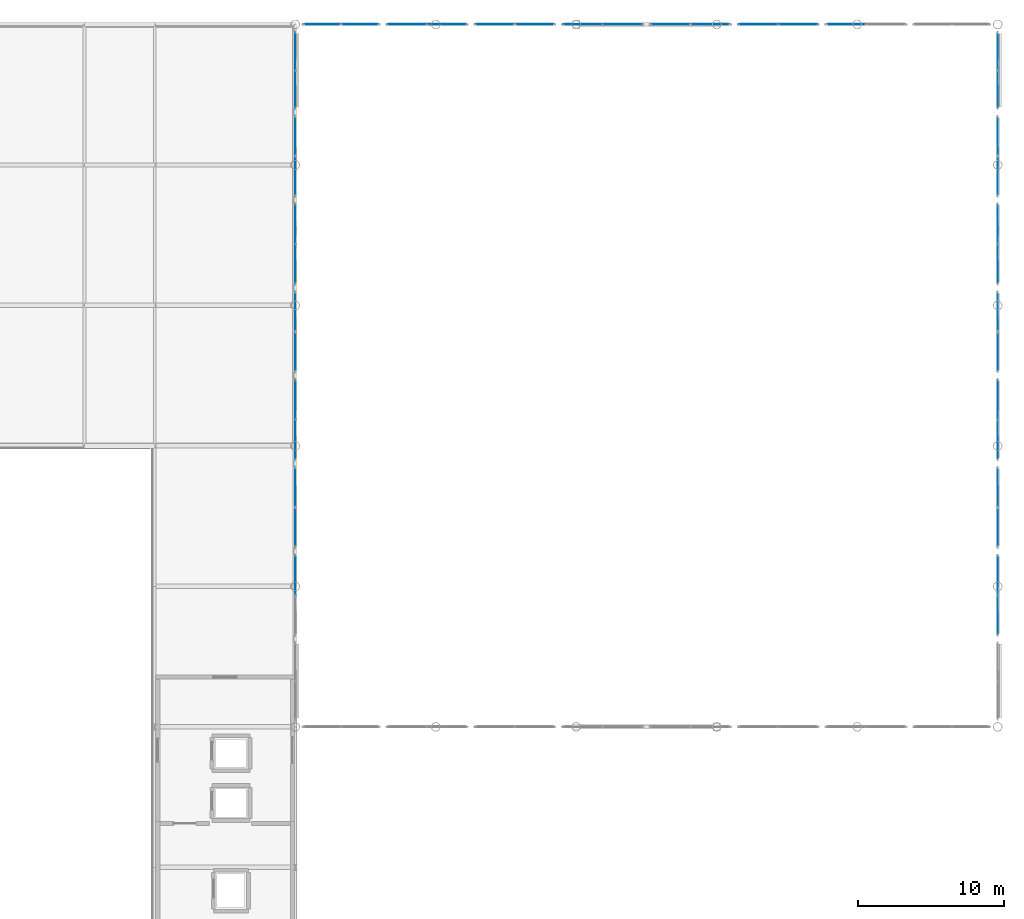
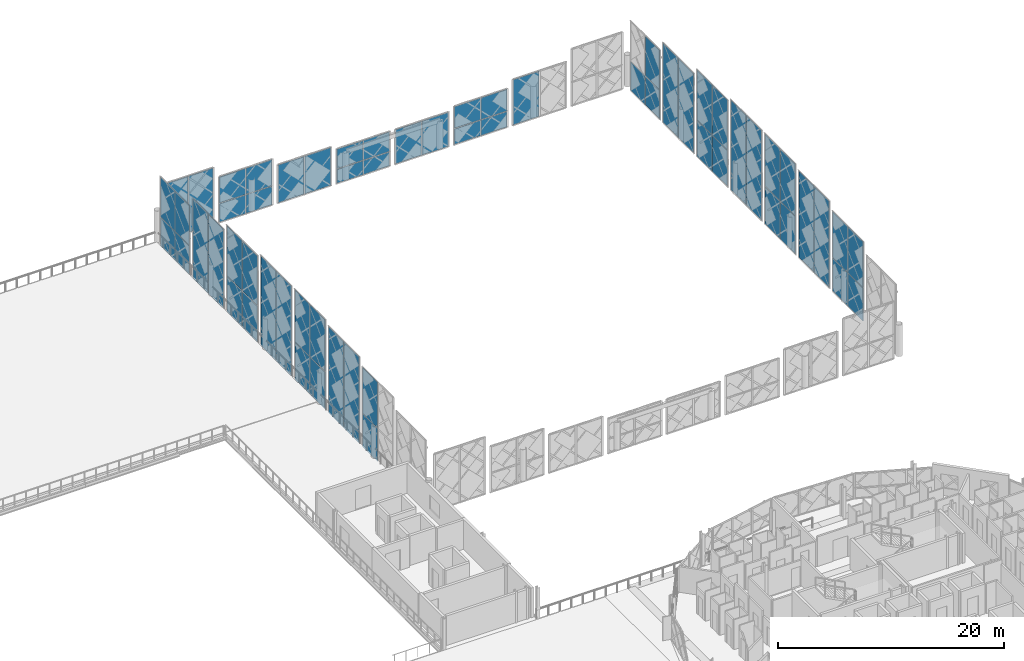
# One storey, part 26 of 53: 60 plates, 21 elements without a shape of their own.
"""IFC4 building model written with IfcOpenShell, lengths in metres."""

from ifc_helpers import new_model, si_unit, direction, frame, origin, origin_2d, place, context, subcontext, project, spatial, rectangle, extrude, material, layer, layer_set, type_object, element, aggregate, save


model = new_model("IFC4")

# Units and contexts
model_context = context("Model", 3, precision=1e-05, world=origin(), true_north=direction((0.0, 1.0)))
body_context = subcontext(model_context, "Body", "Model", "MODEL_VIEW")
ifc_project = project(units=[si_unit("LENGTHUNIT", "METRE"), si_unit("AREAUNIT", "SQUARE_METRE"), si_unit("VOLUMEUNIT", "CUBIC_METRE"), si_unit("PLANEANGLEUNIT", "RADIAN"), si_unit("MASSUNIT", "GRAM", prefix="KILO")], contexts=[model_context])

# Site, building, storey
site_placement = place(None, origin())
site = spatial("IfcSite", under=ifc_project, at=site_placement, CompositionType="ELEMENT")
building_placement = place(site_placement, origin())
building = spatial("IfcBuilding", under=site, at=building_placement, Name="Zevrakil Square Congress Hotel", CompositionType="ELEMENT")
storey_placement = place(building_placement, frame((0.0, 0.0, 14.699951171875)))
storey = spatial("IfcBuildingStorey", under=building, at=storey_placement, Name="L04", CompositionType="ELEMENT", Elevation=14.699951171875)

# Curtain wall, plate
ifc_material_1 = material(Name="Aluminium Anodised Bronze", Category="aluminium")
ifc_layer_1 = layer(ifc_material_1, 0.179931640625)
ifc_layer_set_1 = layer_set([ifc_layer_1], Name="Aluminium Anodised Bronze")
curtain_wall_type = type_object("IfcCurtainWallType", Name="CW-L01-560", PredefinedType="USERDEFINED", material=ifc_layer_set_1)
curtain_wall_1_placement = place(storey_placement, origin())
curtain_wall_1 = element("IfcCurtainWall", 1, at=curtain_wall_1_placement, inside=storey, type_object=curtain_wall_type, Name="L04 diamond curtain wall CW-L04-0068", ObjectType="GLAZED CURTAIN WALL", PredefinedType="USERDEFINED")
ifc_material_2 = material(Name="Low-E Solar Control Double Glazing", Category="glass")
ifc_layer_2 = layer(ifc_material_2, 0.028076171875)
ifc_layer_set_2 = layer_set([ifc_layer_2], Name="Low-E Solar Control Double Glazing")
plate_type_1 = type_object("IfcPlateType", Name="CWP-GLAZ-28", PredefinedType="CURTAIN_PANEL", material=ifc_layer_set_2)
plate_1_placement = place(storey_placement, frame((117.60009765625, 75.159912109375, 3.416015625), z_axis=(0.0, 0.0, 1.0), x_axis=(0.0, 1.0, 0.0)))
plate_1 = element("IfcPlate", 2, at=plate_1_placement, type_object=plate_type_1, Name="CW-08 panel 2.2", PredefinedType="CURTAIN_PANEL", context=body_context, shape_type="SweptSolid", body=[
    extrude(rectangle(XDim=2.659912109375, YDim=0.028076171875, at=origin_2d()), origin(), (0.0, 0.0, 1.0), 4.945068359375),
])

curtain_wall_2_placement = place(storey_placement, origin())
curtain_wall_2 = element("IfcCurtainWall", 3, at=curtain_wall_2_placement, inside=storey, type_object=curtain_wall_type, Name="L04 diamond curtain wall CW-L04-0069", ObjectType="GLAZED CURTAIN WALL", PredefinedType="USERDEFINED")
plate_2_placement = place(storey_placement, frame((117.60009765625, 78.43994140625, -0.199951171875), z_axis=(0.0, 0.0, 1.0), x_axis=(0.0, 1.0, 0.0)))
plate_2 = element("IfcPlate", 4, at=plate_2_placement, type_object=plate_type_1, Name="CW-08 panel 1.1", PredefinedType="CURTAIN_PANEL", context=body_context, shape_type="SweptSolid", body=[
    extrude(rectangle(XDim=2.659912109375, YDim=0.028076171875, at=origin_2d()), origin(), (0.0, 0.0, 1.0), 9.31103515625),
])

curtain_wall_3_placement = place(storey_placement, origin())
curtain_wall_3 = element("IfcCurtainWall", 5, at=curtain_wall_3_placement, inside=storey, type_object=curtain_wall_type, Name="L04 diamond curtain wall CW-L04-0070", ObjectType="GLAZED CURTAIN WALL", PredefinedType="USERDEFINED")
plate_3_placement = place(storey_placement, frame((117.60009765625, 84.43994140625, 3.888671875), z_axis=(0.0, 0.0, 1.0), x_axis=(0.0, 1.0, 0.0)))
plate_3 = element("IfcPlate", 6, at=plate_3_placement, type_object=plate_type_1, Name="CW-08 panel 1.2", PredefinedType="CURTAIN_PANEL", context=body_context, shape_type="SweptSolid", body=[
    extrude(rectangle(XDim=2.659912109375, YDim=0.028076171875, at=origin_2d()), origin(), (0.0, 0.0, 1.0), 5.597412109375),
])

curtain_wall_4_placement = place(storey_placement, origin())
curtain_wall_4 = element("IfcCurtainWall", 7, at=curtain_wall_4_placement, inside=storey, type_object=curtain_wall_type, Name="L04 diamond curtain wall CW-L04-0071", ObjectType="GLAZED CURTAIN WALL", PredefinedType="USERDEFINED")
plate_4_placement = place(storey_placement, frame((117.60009765625, 90.43994140625, -0.199951171875), z_axis=(0.0, 0.0, 1.0), x_axis=(0.0, 1.0, 0.0)))
plate_4 = element("IfcPlate", 8, at=plate_4_placement, type_object=plate_type_1, Name="CW-08 panel 1.1", PredefinedType="CURTAIN_PANEL", context=body_context, shape_type="SweptSolid", body=[
    extrude(rectangle(XDim=2.659912109375, YDim=0.028076171875, at=origin_2d()), origin(), (0.0, 0.0, 1.0), 9.68603515625),
])

curtain_wall_5_placement = place(storey_placement, origin())
curtain_wall_5 = element("IfcCurtainWall", 9, at=curtain_wall_5_placement, inside=storey, type_object=curtain_wall_type, Name="L04 diamond curtain wall CW-L04-0072", ObjectType="GLAZED CURTAIN WALL", PredefinedType="USERDEFINED")
plate_5_placement = place(storey_placement, frame((117.60009765625, 99.159912109375, -0.199951171875), z_axis=(0.0, 0.0, 1.0), x_axis=(0.0, 1.0, 0.0)))
plate_5 = element("IfcPlate", 10, at=plate_5_placement, type_object=plate_type_1, Name="CW-08 panel 2.1", PredefinedType="CURTAIN_PANEL", context=body_context, shape_type="SweptSolid", body=[
    extrude(rectangle(XDim=2.659912109375, YDim=0.028076171875, at=origin_2d()), origin(), (0.0, 0.0, 1.0), 3.87109375),
])

curtain_wall_6_placement = place(storey_placement, origin())
curtain_wall_6 = element("IfcCurtainWall", 11, at=curtain_wall_6_placement, inside=storey, type_object=curtain_wall_type, Name="L04 diamond curtain wall CW-L04-0073", ObjectType="GLAZED CURTAIN WALL", PredefinedType="USERDEFINED")
plate_6_placement = place(storey_placement, frame((117.60009765625, 105.159912109375, -0.199951171875), z_axis=(0.0, 0.0, 1.0), x_axis=(0.0, 1.0, 0.0)))
plate_6 = element("IfcPlate", 12, at=plate_6_placement, type_object=plate_type_1, Name="CW-08 panel 2.1", PredefinedType="CURTAIN_PANEL", context=body_context, shape_type="SweptSolid", body=[
    extrude(rectangle(XDim=2.659912109375, YDim=0.028076171875, at=origin_2d()), origin(), (0.0, 0.0, 1.0), 8.56103515625),
])

# Curtain wall, plates
curtain_wall_7_placement = place(storey_placement, origin())
curtain_wall_7 = element("IfcCurtainWall", 13, at=curtain_wall_7_placement, inside=storey, type_object=curtain_wall_type, Name="L04 diamond curtain wall CW-L04-0074", ObjectType="GLAZED CURTAIN WALL", PredefinedType="USERDEFINED")
plate_7_placement = place(storey_placement, frame((117.60009765625, 108.37255859375, -0.199951171875), z_axis=(0.0, 0.0, 1.0), x_axis=(0.0, 1.0, 0.0)))
plate_7 = element("IfcPlate", 14, at=plate_7_placement, type_object=plate_type_1, Name="CW-08 panel 1.1", PredefinedType="CURTAIN_PANEL", context=body_context, shape_type="SweptSolid", body=[
    extrude(rectangle(XDim=2.52490234375, YDim=0.028076171875, at=origin_2d()), origin(), (0.0, 0.0, 1.0), 3.08349609375),
])
plate_8_placement = place(storey_placement, frame((117.60009765625, 110.95751953125, -0.199951171875), z_axis=(0.0, 0.0, 1.0), x_axis=(0.0, 1.0, 0.0)))
plate_8 = element("IfcPlate", 15, at=plate_8_placement, type_object=plate_type_1, Name="CW-08 panel 2.1", PredefinedType="CURTAIN_PANEL", context=body_context, shape_type="SweptSolid", body=[
    extrude(rectangle(XDim=2.52490234375, YDim=0.028076171875, at=origin_2d()), origin(), (0.0, 0.0, 1.0), 3.08349609375),
])

curtain_wall_8_placement = place(storey_placement, origin())
curtain_wall_8 = element("IfcCurtainWall", 16, at=curtain_wall_8_placement, inside=storey, type_object=curtain_wall_type, Name="L04 diamond curtain wall CW-L04-0076", ObjectType="GLAZED CURTAIN WALL", PredefinedType="USERDEFINED")
plate_9_placement = place(storey_placement, frame((165.60009765625, 72.43994140625, -0.19970703125), z_axis=(0.0, 0.0, 1.0), x_axis=(0.0, 1.0, 0.0)))
plate_9 = element("IfcPlate", 17, at=plate_9_placement, type_object=plate_type_1, Name="CW-08 panel 1.1", PredefinedType="CURTAIN_PANEL", context=body_context, shape_type="SweptSolid", body=[
    extrude(rectangle(XDim=2.659912109375, YDim=0.028076171875, at=origin_2d()), origin(), (0.0, 0.0, 1.0), 3.555908203125),
])
plate_10_placement = place(storey_placement, frame((165.60009765625, 75.159912109375, 3.416015625), z_axis=(0.0, 0.0, 1.0), x_axis=(0.0, 1.0, 0.0)))
plate_10 = element("IfcPlate", 18, at=plate_10_placement, type_object=plate_type_1, Name="CW-08 panel 2.2", PredefinedType="CURTAIN_PANEL", context=body_context, shape_type="SweptSolid", body=[
    extrude(rectangle(XDim=2.659912109375, YDim=0.028076171875, at=origin_2d()), origin(), (0.0, 0.0, 1.0), 4.945068359375),
])

curtain_wall_9_placement = place(storey_placement, origin())
curtain_wall_9 = element("IfcCurtainWall", 19, at=curtain_wall_9_placement, inside=storey, type_object=curtain_wall_type, Name="L04 diamond curtain wall CW-L04-0078", ObjectType="GLAZED CURTAIN WALL", PredefinedType="USERDEFINED")
plate_11_placement = place(storey_placement, frame((165.60009765625, 84.43994140625, 3.888671875), z_axis=(0.0, 0.0, 1.0), x_axis=(0.0, 1.0, 0.0)))
plate_11 = element("IfcPlate", 20, at=plate_11_placement, type_object=plate_type_1, Name="CW-08 panel 1.2", PredefinedType="CURTAIN_PANEL", context=body_context, shape_type="SweptSolid", body=[
    extrude(rectangle(XDim=2.659912109375, YDim=0.028076171875, at=origin_2d()), origin(), (0.0, 0.0, 1.0), 5.597412109375),
])
plate_12_placement = place(storey_placement, frame((165.60009765625, 87.159912109375, 3.888671875), z_axis=(0.0, 0.0, 1.0), x_axis=(0.0, 1.0, 0.0)))
plate_12 = element("IfcPlate", 21, at=plate_12_placement, type_object=plate_type_1, Name="CW-08 panel 2.2", PredefinedType="CURTAIN_PANEL", context=body_context, shape_type="SweptSolid", body=[
    extrude(rectangle(XDim=2.659912109375, YDim=0.028076171875, at=origin_2d()), origin(), (0.0, 0.0, 1.0), 5.597412109375),
])

# Curtain wall, plate
curtain_wall_10_placement = place(storey_placement, origin())
curtain_wall_10 = element("IfcCurtainWall", 22, at=curtain_wall_10_placement, inside=storey, type_object=curtain_wall_type, Name="L04 diamond curtain wall CW-L04-0079", ObjectType="GLAZED CURTAIN WALL", PredefinedType="USERDEFINED")
plate_13_placement = place(storey_placement, frame((165.60009765625, 90.43994140625, -0.199951171875), z_axis=(0.0, 0.0, 1.0), x_axis=(0.0, 1.0, 0.0)))
plate_13 = element("IfcPlate", 23, at=plate_13_placement, type_object=plate_type_1, Name="CW-08 panel 1.1", PredefinedType="CURTAIN_PANEL", context=body_context, shape_type="SweptSolid", body=[
    extrude(rectangle(XDim=2.659912109375, YDim=0.028076171875, at=origin_2d()), origin(), (0.0, 0.0, 1.0), 9.68603515625),
])

curtain_wall_11_placement = place(storey_placement, origin())
curtain_wall_11 = element("IfcCurtainWall", 24, at=curtain_wall_11_placement, inside=storey, type_object=curtain_wall_type, Name="L04 diamond curtain wall CW-L04-0080", ObjectType="GLAZED CURTAIN WALL", PredefinedType="USERDEFINED")
plate_14_placement = place(storey_placement, frame((165.60009765625, 96.43994140625, 3.731201171875), z_axis=(0.0, 0.0, 1.0), x_axis=(0.0, 1.0, 0.0)))
plate_14 = element("IfcPlate", 25, at=plate_14_placement, type_object=plate_type_1, Name="CW-08 panel 1.2", PredefinedType="CURTAIN_PANEL", context=body_context, shape_type="SweptSolid", body=[
    extrude(rectangle(XDim=2.659912109375, YDim=0.028076171875, at=origin_2d()), origin(), (0.0, 0.0, 1.0), 5.3798828125),
])

curtain_wall_12_placement = place(storey_placement, origin())
curtain_wall_12 = element("IfcCurtainWall", 26, at=curtain_wall_12_placement, inside=storey, type_object=curtain_wall_type, Name="L04 diamond curtain wall CW-L04-0081", ObjectType="GLAZED CURTAIN WALL", PredefinedType="USERDEFINED")
plate_15_placement = place(storey_placement, frame((165.60009765625, 102.43994140625, -0.199951171875), z_axis=(0.0, 0.0, 1.0), x_axis=(0.0, 1.0, 0.0)))
plate_15 = element("IfcPlate", 27, at=plate_15_placement, type_object=plate_type_1, Name="CW-08 panel 1.1", PredefinedType="CURTAIN_PANEL", context=body_context, shape_type="SweptSolid", body=[
    extrude(rectangle(XDim=2.659912109375, YDim=0.028076171875, at=origin_2d()), origin(), (0.0, 0.0, 1.0), 8.56103515625),
])

curtain_wall_13_placement = place(storey_placement, origin())
curtain_wall_13 = element("IfcCurtainWall", 28, at=curtain_wall_13_placement, inside=storey, type_object=curtain_wall_type, Name="L04 diamond curtain wall CW-L04-0082", ObjectType="GLAZED CURTAIN WALL", PredefinedType="USERDEFINED")
plate_16_placement = place(storey_placement, frame((165.60009765625, 110.95751953125, -0.199951171875), z_axis=(0.0, 0.0, 1.0), x_axis=(0.0, 1.0, 0.0)))
plate_16 = element("IfcPlate", 29, at=plate_16_placement, type_object=plate_type_1, Name="CW-08 panel 2.1", PredefinedType="CURTAIN_PANEL", context=body_context, shape_type="SweptSolid", body=[
    extrude(rectangle(XDim=2.52490234375, YDim=0.028076171875, at=origin_2d()), origin(), (0.0, 0.0, 1.0), 3.08349609375),
])

curtain_wall_14_placement = place(storey_placement, origin())
curtain_wall_14 = element("IfcCurtainWall", 30, at=curtain_wall_14_placement, inside=storey, type_object=curtain_wall_type, Name="L04 diamond curtain wall CW-L04-0091", ObjectType="GLAZED CURTAIN WALL", PredefinedType="USERDEFINED")
plate_17_placement = place(storey_placement, frame((119.4423828125, 112.800048828125, -0.199951171875), z_axis=(0.0, 0.0, 1.0), x_axis=(1.0, 0.0, 0.0)))
plate_17 = element("IfcPlate", 31, at=plate_17_placement, type_object=plate_type_1, Name="CW-08 panel 1.1", PredefinedType="CURTAIN_PANEL", context=body_context, shape_type="SweptSolid", body=[
    extrude(rectangle(XDim=2.52490234375, YDim=0.028076171875, at=origin_2d()), origin(), (0.0, 0.0, 1.0), 6.080078125),
])

curtain_wall_15_placement = place(storey_placement, origin())
curtain_wall_15 = element("IfcCurtainWall", 32, at=curtain_wall_15_placement, inside=storey, type_object=curtain_wall_type, Name="L04 diamond curtain wall CW-L04-0092", ObjectType="GLAZED CURTAIN WALL", PredefinedType="USERDEFINED")
plate_18_placement = place(storey_placement, frame((127.9599609375, 112.800048828125, -0.2001953125), z_axis=(0.0, 0.0, 1.0), x_axis=(1.0, 0.0, 0.0)))
plate_18 = element("IfcPlate", 33, at=plate_18_placement, type_object=plate_type_1, Name="CW-08 panel 2.1", PredefinedType="CURTAIN_PANEL", context=body_context, shape_type="SweptSolid", body=[
    extrude(rectangle(XDim=2.659912109375, YDim=0.028076171875, at=origin_2d()), origin(), (0.0, 0.0, 1.0), 2.010009765625),
])

curtain_wall_16_placement = place(storey_placement, origin())
curtain_wall_16 = element("IfcCurtainWall", 34, at=curtain_wall_16_placement, inside=storey, type_object=curtain_wall_type, Name="L04 diamond curtain wall CW-L04-0093", ObjectType="GLAZED CURTAIN WALL", PredefinedType="USERDEFINED")
plate_19_placement = place(storey_placement, frame((133.9599609375, 112.800048828125, -0.199951171875), z_axis=(0.0, 0.0, 1.0), x_axis=(1.0, 0.0, 0.0)))
plate_19 = element("IfcPlate", 35, at=plate_19_placement, type_object=plate_type_1, Name="CW-08 panel 2.1", PredefinedType="CURTAIN_PANEL", context=body_context, shape_type="SweptSolid", body=[
    extrude(rectangle(XDim=2.659912109375, YDim=0.028076171875, at=origin_2d()), origin(), (0.0, 0.0, 1.0), 4.080078125),
])

# Curtain wall, plates
curtain_wall_17_placement = place(storey_placement, origin())
curtain_wall_17 = element("IfcCurtainWall", 36, at=curtain_wall_17_placement, inside=storey, type_object=curtain_wall_type, Name="L04 diamond curtain wall CW-L04-0094", ObjectType="GLAZED CURTAIN WALL", PredefinedType="USERDEFINED")
plate_20_placement = place(storey_placement, frame((137.239990234375, 112.800048828125, -0.2001953125), z_axis=(0.0, 0.0, 1.0), x_axis=(1.0, 0.0, 0.0)))
plate_20 = element("IfcPlate", 37, at=plate_20_placement, type_object=plate_type_1, Name="CW-08 panel 1.1", PredefinedType="CURTAIN_PANEL", context=body_context, shape_type="SweptSolid", body=[
    extrude(rectangle(XDim=2.659912109375, YDim=0.028076171875, at=origin_2d()), origin(), (0.0, 0.0, 1.0), 1.506103515625),
])
plate_21_placement = place(storey_placement, frame((139.9599609375, 112.800048828125, -0.2001953125), z_axis=(0.0, 0.0, 1.0), x_axis=(1.0, 0.0, 0.0)))
plate_21 = element("IfcPlate", 38, at=plate_21_placement, type_object=plate_type_1, Name="CW-08 panel 2.1", PredefinedType="CURTAIN_PANEL", context=body_context, shape_type="SweptSolid", body=[
    extrude(rectangle(XDim=2.659912109375, YDim=0.028076171875, at=origin_2d()), origin(), (0.0, 0.0, 1.0), 1.506103515625),
])

# Curtain wall, plate
curtain_wall_18_placement = place(storey_placement, origin())
curtain_wall_18 = element("IfcCurtainWall", 39, at=curtain_wall_18_placement, inside=storey, type_object=curtain_wall_type, Name="L04 diamond curtain wall CW-L04-0095", ObjectType="GLAZED CURTAIN WALL", PredefinedType="USERDEFINED")
plate_22_placement = place(storey_placement, frame((145.9599609375, 112.800048828125, -0.19970703125), z_axis=(0.0, 0.0, 1.0), x_axis=(1.0, 0.0, 0.0)))
plate_22 = element("IfcPlate", 40, at=plate_22_placement, type_object=plate_type_1, Name="CW-08 panel 2.1", PredefinedType="CURTAIN_PANEL", context=body_context, shape_type="SweptSolid", body=[
    extrude(rectangle(XDim=2.659912109375, YDim=0.028076171875, at=origin_2d()), origin(), (0.0, 0.0, 1.0), 3.679931640625),
])

# Curtain wall, plates
curtain_wall_19_placement = place(storey_placement, origin())
curtain_wall_19 = element("IfcCurtainWall", 41, at=curtain_wall_19_placement, inside=storey, type_object=curtain_wall_type, Name="L04 diamond curtain wall CW-L04-0096", ObjectType="GLAZED CURTAIN WALL", PredefinedType="USERDEFINED")
plate_23_placement = place(storey_placement, frame((149.239990234375, 112.800048828125, -0.2001953125), z_axis=(0.0, 0.0, 1.0), x_axis=(1.0, 0.0, 0.0)))
plate_23 = element("IfcPlate", 42, at=plate_23_placement, type_object=plate_type_1, Name="CW-08 panel 1.1", PredefinedType="CURTAIN_PANEL", context=body_context, shape_type="SweptSolid", body=[
    extrude(rectangle(XDim=2.659912109375, YDim=0.028076171875, at=origin_2d()), origin(), (0.0, 0.0, 1.0), 1.674072265625),
])
plate_24_placement = place(storey_placement, frame((151.9599609375, 112.800048828125, 1.5341796875), z_axis=(0.0, 0.0, 1.0), x_axis=(1.0, 0.0, 0.0)))
plate_24 = element("IfcPlate", 43, at=plate_24_placement, type_object=plate_type_1, Name="CW-08 panel 2.2", PredefinedType="CURTAIN_PANEL", context=body_context, shape_type="SweptSolid", body=[
    extrude(rectangle(XDim=2.659912109375, YDim=0.028076171875, at=origin_2d()), origin(), (0.0, 0.0, 1.0), 2.345947265625),
])

# Plate
ifc_material_3 = material(Name="Basalt Grey Ribbed GRC Panel", Category="masonry")
ifc_layer_3 = layer(ifc_material_3, 0.0439453125)
ifc_layer_set_3 = layer_set([ifc_layer_3], Name="Basalt Grey Ribbed GRC Panel")
plate_type_2 = type_object("IfcPlateType", Name="CWP-GRCG-44", PredefinedType="CURTAIN_PANEL", material=ifc_layer_set_3)
plate_25_placement = place(storey_placement, frame((117.60009765625, 87.159912109375, 3.888671875), z_axis=(0.0, 0.0, 1.0), x_axis=(0.0, 1.0, 0.0)))
plate_25 = element("IfcPlate", 44, at=plate_25_placement, type_object=plate_type_2, Name="CW-08 panel 2.2", PredefinedType="CURTAIN_PANEL", context=body_context, shape_type="SweptSolid", body=[
    extrude(rectangle(XDim=2.659912109375, YDim=0.028076171875, at=origin_2d()), origin(), (0.0, 0.0, 1.0), 5.597412109375),
])

plate_26_placement = place(storey_placement, frame((117.60009765625, 96.43994140625, 3.731201171875), z_axis=(0.0, 0.0, 1.0), x_axis=(0.0, 1.0, 0.0)))
plate_26 = element("IfcPlate", 45, at=plate_26_placement, type_object=plate_type_2, Name="CW-08 panel 1.2", PredefinedType="CURTAIN_PANEL", context=body_context, shape_type="SweptSolid", body=[
    extrude(rectangle(XDim=2.659912109375, YDim=0.028076171875, at=origin_2d()), origin(), (0.0, 0.0, 1.0), 5.3798828125),
])

plate_27_placement = place(storey_placement, frame((117.60009765625, 102.43994140625, -0.199951171875), z_axis=(0.0, 0.0, 1.0), x_axis=(0.0, 1.0, 0.0)))
plate_27 = element("IfcPlate", 46, at=plate_27_placement, type_object=plate_type_2, Name="CW-08 panel 1.1", PredefinedType="CURTAIN_PANEL", context=body_context, shape_type="SweptSolid", body=[
    extrude(rectangle(XDim=2.659912109375, YDim=0.028076171875, at=origin_2d()), origin(), (0.0, 0.0, 1.0), 8.56103515625),
])

aggregate(curtain_wall_6, [plate_27, plate_6])

plate_28_placement = place(storey_placement, frame((165.60009765625, 75.159912109375, -0.19970703125), z_axis=(0.0, 0.0, 1.0), x_axis=(0.0, 1.0, 0.0)))
plate_28 = element("IfcPlate", 47, at=plate_28_placement, type_object=plate_type_2, Name="CW-08 panel 2.1", PredefinedType="CURTAIN_PANEL", context=body_context, shape_type="SweptSolid", body=[
    extrude(rectangle(XDim=2.659912109375, YDim=0.028076171875, at=origin_2d()), origin(), (0.0, 0.0, 1.0), 3.555908203125),
])

# Curtain wall, plate
curtain_wall_20_placement = place(storey_placement, origin())
curtain_wall_20 = element("IfcCurtainWall", 48, at=curtain_wall_20_placement, inside=storey, type_object=curtain_wall_type, Name="L04 diamond curtain wall CW-L04-0077", ObjectType="GLAZED CURTAIN WALL", PredefinedType="USERDEFINED")
plate_29_placement = place(storey_placement, frame((165.60009765625, 81.159912109375, -0.199951171875), z_axis=(0.0, 0.0, 1.0), x_axis=(0.0, 1.0, 0.0)))
plate_29 = element("IfcPlate", 49, at=plate_29_placement, type_object=plate_type_2, Name="CW-08 panel 2.1", PredefinedType="CURTAIN_PANEL", context=body_context, shape_type="SweptSolid", body=[
    extrude(rectangle(XDim=2.659912109375, YDim=0.028076171875, at=origin_2d()), origin(), (0.0, 0.0, 1.0), 9.31103515625),
])

# Plate
plate_30_placement = place(storey_placement, frame((165.60009765625, 84.43994140625, -0.2001953125), z_axis=(0.0, 0.0, 1.0), x_axis=(0.0, 1.0, 0.0)))
plate_30 = element("IfcPlate", 50, at=plate_30_placement, type_object=plate_type_2, Name="CW-08 panel 1.1", PredefinedType="CURTAIN_PANEL", context=body_context, shape_type="SweptSolid", body=[
    extrude(rectangle(XDim=2.659912109375, YDim=0.028076171875, at=origin_2d()), origin(), (0.0, 0.0, 1.0), 4.028564453125),
])

plate_31_placement = place(storey_placement, frame((165.60009765625, 99.159912109375, 3.731201171875), z_axis=(0.0, 0.0, 1.0), x_axis=(0.0, 1.0, 0.0)))
plate_31 = element("IfcPlate", 51, at=plate_31_placement, type_object=plate_type_2, Name="CW-08 panel 2.2", PredefinedType="CURTAIN_PANEL", context=body_context, shape_type="SweptSolid", body=[
    extrude(rectangle(XDim=2.659912109375, YDim=0.028076171875, at=origin_2d()), origin(), (0.0, 0.0, 1.0), 5.3798828125),
])

plate_32_placement = place(storey_placement, frame((165.60009765625, 108.37255859375, 2.943603515625), z_axis=(0.0, 0.0, 1.0), x_axis=(0.0, 1.0, 0.0)))
plate_32 = element("IfcPlate", 52, at=plate_32_placement, type_object=plate_type_2, Name="CW-08 panel 1.2", PredefinedType="CURTAIN_PANEL", context=body_context, shape_type="SweptSolid", body=[
    extrude(rectangle(XDim=2.52490234375, YDim=0.028076171875, at=origin_2d()), origin(), (0.0, 0.0, 1.0), 4.29248046875),
])

plate_33_placement = place(storey_placement, frame((125.239990234375, 112.800048828125, 1.8701171875), z_axis=(0.0, 0.0, 1.0), x_axis=(1.0, 0.0, 0.0)))
plate_33 = element("IfcPlate", 53, at=plate_33_placement, type_object=plate_type_2, Name="CW-08 panel 1.2", PredefinedType="CURTAIN_PANEL", context=body_context, shape_type="SweptSolid", body=[
    extrude(rectangle(XDim=2.659912109375, YDim=0.028076171875, at=origin_2d()), origin(), (0.0, 0.0, 1.0), 2.81005859375),
])

plate_34_placement = place(storey_placement, frame((131.239990234375, 112.800048828125, -0.199951171875), z_axis=(0.0, 0.0, 1.0), x_axis=(1.0, 0.0, 0.0)))
plate_34 = element("IfcPlate", 54, at=plate_34_placement, type_object=plate_type_2, Name="CW-08 panel 1.1", PredefinedType="CURTAIN_PANEL", context=body_context, shape_type="SweptSolid", body=[
    extrude(rectangle(XDim=2.659912109375, YDim=0.028076171875, at=origin_2d()), origin(), (0.0, 0.0, 1.0), 4.080078125),
])

aggregate(curtain_wall_16, [plate_34, plate_19])

plate_35_placement = place(storey_placement, frame((151.9599609375, 112.800048828125, -0.2001953125), z_axis=(0.0, 0.0, 1.0), x_axis=(1.0, 0.0, 0.0)))
plate_35 = element("IfcPlate", 55, at=plate_35_placement, type_object=plate_type_2, Name="CW-08 panel 2.1", PredefinedType="CURTAIN_PANEL", context=body_context, shape_type="SweptSolid", body=[
    extrude(rectangle(XDim=2.659912109375, YDim=0.028076171875, at=origin_2d()), origin(), (0.0, 0.0, 1.0), 1.674072265625),
])

ifc_material_4 = material(Name="White Ribbed Highland GRC Panel", Category="concrete")
ifc_layer_4 = layer(ifc_material_4, 0.0400390625)
ifc_layer_set_4 = layer_set([ifc_layer_4], Name="White Ribbed Highland GRC Panel")
plate_type_3 = type_object("IfcPlateType", Name="CWP-GRCW-40", PredefinedType="CURTAIN_PANEL", material=ifc_layer_set_4)
plate_36_placement = place(storey_placement, frame((117.60009765625, 75.159912109375, -0.19970703125), z_axis=(0.0, 0.0, 1.0), x_axis=(0.0, 1.0, 0.0)))
plate_36 = element("IfcPlate", 56, at=plate_36_placement, type_object=plate_type_3, Name="CW-08 panel 2.1", PredefinedType="CURTAIN_PANEL", context=body_context, shape_type="SweptSolid", body=[
    extrude(rectangle(XDim=2.659912109375, YDim=0.028076171875, at=origin_2d()), origin(), (0.0, 0.0, 1.0), 3.555908203125),
])

aggregate(curtain_wall_1, [plate_36, plate_1])

plate_37_placement = place(storey_placement, frame((117.60009765625, 81.159912109375, -0.199951171875), z_axis=(0.0, 0.0, 1.0), x_axis=(0.0, 1.0, 0.0)))
plate_37 = element("IfcPlate", 57, at=plate_37_placement, type_object=plate_type_3, Name="CW-08 panel 2.1", PredefinedType="CURTAIN_PANEL", context=body_context, shape_type="SweptSolid", body=[
    extrude(rectangle(XDim=2.659912109375, YDim=0.028076171875, at=origin_2d()), origin(), (0.0, 0.0, 1.0), 9.31103515625),
])

aggregate(curtain_wall_2, [plate_2, plate_37])

plate_38_placement = place(storey_placement, frame((117.60009765625, 84.43994140625, -0.2001953125), z_axis=(0.0, 0.0, 1.0), x_axis=(0.0, 1.0, 0.0)))
plate_38 = element("IfcPlate", 58, at=plate_38_placement, type_object=plate_type_3, Name="CW-08 panel 1.1", PredefinedType="CURTAIN_PANEL", context=body_context, shape_type="SweptSolid", body=[
    extrude(rectangle(XDim=2.659912109375, YDim=0.028076171875, at=origin_2d()), origin(), (0.0, 0.0, 1.0), 4.028564453125),
])

plate_39_placement = place(storey_placement, frame((117.60009765625, 87.159912109375, -0.2001953125), z_axis=(0.0, 0.0, 1.0), x_axis=(0.0, 1.0, 0.0)))
plate_39 = element("IfcPlate", 59, at=plate_39_placement, type_object=plate_type_3, Name="CW-08 panel 2.1", PredefinedType="CURTAIN_PANEL", context=body_context, shape_type="SweptSolid", body=[
    extrude(rectangle(XDim=2.659912109375, YDim=0.028076171875, at=origin_2d()), origin(), (0.0, 0.0, 1.0), 4.028564453125),
])

aggregate(curtain_wall_3, [plate_38, plate_3, plate_39, plate_25])

plate_40_placement = place(storey_placement, frame((117.60009765625, 93.159912109375, -0.199951171875), z_axis=(0.0, 0.0, 1.0), x_axis=(0.0, 1.0, 0.0)))
plate_40 = element("IfcPlate", 60, at=plate_40_placement, type_object=plate_type_3, Name="CW-08 panel 2.1", PredefinedType="CURTAIN_PANEL", context=body_context, shape_type="SweptSolid", body=[
    extrude(rectangle(XDim=2.659912109375, YDim=0.028076171875, at=origin_2d()), origin(), (0.0, 0.0, 1.0), 9.68603515625),
])

aggregate(curtain_wall_4, [plate_4, plate_40])

plate_41_placement = place(storey_placement, frame((117.60009765625, 96.43994140625, -0.199951171875), z_axis=(0.0, 0.0, 1.0), x_axis=(0.0, 1.0, 0.0)))
plate_41 = element("IfcPlate", 61, at=plate_41_placement, type_object=plate_type_3, Name="CW-08 panel 1.1", PredefinedType="CURTAIN_PANEL", context=body_context, shape_type="SweptSolid", body=[
    extrude(rectangle(XDim=2.659912109375, YDim=0.028076171875, at=origin_2d()), origin(), (0.0, 0.0, 1.0), 3.87109375),
])

plate_42_placement = place(storey_placement, frame((117.60009765625, 99.159912109375, 3.731201171875), z_axis=(0.0, 0.0, 1.0), x_axis=(0.0, 1.0, 0.0)))
plate_42 = element("IfcPlate", 62, at=plate_42_placement, type_object=plate_type_3, Name="CW-08 panel 2.2", PredefinedType="CURTAIN_PANEL", context=body_context, shape_type="SweptSolid", body=[
    extrude(rectangle(XDim=2.659912109375, YDim=0.028076171875, at=origin_2d()), origin(), (0.0, 0.0, 1.0), 5.3798828125),
])

aggregate(curtain_wall_5, [plate_41, plate_26, plate_5, plate_42])

plate_43_placement = place(storey_placement, frame((117.60009765625, 108.37255859375, 2.943603515625), z_axis=(0.0, 0.0, 1.0), x_axis=(0.0, 1.0, 0.0)))
plate_43 = element("IfcPlate", 63, at=plate_43_placement, type_object=plate_type_3, Name="CW-08 panel 1.2", PredefinedType="CURTAIN_PANEL", context=body_context, shape_type="SweptSolid", body=[
    extrude(rectangle(XDim=2.52490234375, YDim=0.028076171875, at=origin_2d()), origin(), (0.0, 0.0, 1.0), 4.29248046875),
])

plate_44_placement = place(storey_placement, frame((117.60009765625, 110.95751953125, 2.943603515625), z_axis=(0.0, 0.0, 1.0), x_axis=(0.0, 1.0, 0.0)))
plate_44 = element("IfcPlate", 64, at=plate_44_placement, type_object=plate_type_3, Name="CW-08 panel 2.2", PredefinedType="CURTAIN_PANEL", context=body_context, shape_type="SweptSolid", body=[
    extrude(rectangle(XDim=2.52490234375, YDim=0.028076171875, at=origin_2d()), origin(), (0.0, 0.0, 1.0), 4.29248046875),
])

aggregate(curtain_wall_7, [plate_7, plate_43, plate_8, plate_44])

plate_45_placement = place(storey_placement, frame((165.60009765625, 72.43994140625, 3.416015625), z_axis=(0.0, 0.0, 1.0), x_axis=(0.0, 1.0, 0.0)))
plate_45 = element("IfcPlate", 65, at=plate_45_placement, type_object=plate_type_3, Name="CW-08 panel 1.2", PredefinedType="CURTAIN_PANEL", context=body_context, shape_type="SweptSolid", body=[
    extrude(rectangle(XDim=2.659912109375, YDim=0.028076171875, at=origin_2d()), origin(), (0.0, 0.0, 1.0), 4.945068359375),
])

aggregate(curtain_wall_8, [plate_9, plate_45, plate_28, plate_10])

plate_46_placement = place(storey_placement, frame((165.60009765625, 78.43994140625, -0.199951171875), z_axis=(0.0, 0.0, 1.0), x_axis=(0.0, 1.0, 0.0)))
plate_46 = element("IfcPlate", 66, at=plate_46_placement, type_object=plate_type_3, Name="CW-08 panel 1.1", PredefinedType="CURTAIN_PANEL", context=body_context, shape_type="SweptSolid", body=[
    extrude(rectangle(XDim=2.659912109375, YDim=0.028076171875, at=origin_2d()), origin(), (0.0, 0.0, 1.0), 9.31103515625),
])

aggregate(curtain_wall_20, [plate_46, plate_29])

plate_47_placement = place(storey_placement, frame((165.60009765625, 87.159912109375, -0.2001953125), z_axis=(0.0, 0.0, 1.0), x_axis=(0.0, 1.0, 0.0)))
plate_47 = element("IfcPlate", 67, at=plate_47_placement, type_object=plate_type_3, Name="CW-08 panel 2.1", PredefinedType="CURTAIN_PANEL", context=body_context, shape_type="SweptSolid", body=[
    extrude(rectangle(XDim=2.659912109375, YDim=0.028076171875, at=origin_2d()), origin(), (0.0, 0.0, 1.0), 4.028564453125),
])

aggregate(curtain_wall_9, [plate_30, plate_11, plate_47, plate_12])

plate_48_placement = place(storey_placement, frame((165.60009765625, 93.159912109375, -0.199951171875), z_axis=(0.0, 0.0, 1.0), x_axis=(0.0, 1.0, 0.0)))
plate_48 = element("IfcPlate", 68, at=plate_48_placement, type_object=plate_type_3, Name="CW-08 panel 2.1", PredefinedType="CURTAIN_PANEL", context=body_context, shape_type="SweptSolid", body=[
    extrude(rectangle(XDim=2.659912109375, YDim=0.028076171875, at=origin_2d()), origin(), (0.0, 0.0, 1.0), 9.68603515625),
])

aggregate(curtain_wall_10, [plate_13, plate_48])

plate_49_placement = place(storey_placement, frame((165.60009765625, 96.43994140625, -0.199951171875), z_axis=(0.0, 0.0, 1.0), x_axis=(0.0, 1.0, 0.0)))
plate_49 = element("IfcPlate", 69, at=plate_49_placement, type_object=plate_type_3, Name="CW-08 panel 1.1", PredefinedType="CURTAIN_PANEL", context=body_context, shape_type="SweptSolid", body=[
    extrude(rectangle(XDim=2.659912109375, YDim=0.028076171875, at=origin_2d()), origin(), (0.0, 0.0, 1.0), 3.87109375),
])

plate_50_placement = place(storey_placement, frame((165.60009765625, 99.159912109375, -0.199951171875), z_axis=(0.0, 0.0, 1.0), x_axis=(0.0, 1.0, 0.0)))
plate_50 = element("IfcPlate", 70, at=plate_50_placement, type_object=plate_type_3, Name="CW-08 panel 2.1", PredefinedType="CURTAIN_PANEL", context=body_context, shape_type="SweptSolid", body=[
    extrude(rectangle(XDim=2.659912109375, YDim=0.028076171875, at=origin_2d()), origin(), (0.0, 0.0, 1.0), 3.87109375),
])

aggregate(curtain_wall_11, [plate_49, plate_14, plate_50, plate_31])

plate_51_placement = place(storey_placement, frame((165.60009765625, 105.159912109375, -0.199951171875), z_axis=(0.0, 0.0, 1.0), x_axis=(0.0, 1.0, 0.0)))
plate_51 = element("IfcPlate", 71, at=plate_51_placement, type_object=plate_type_3, Name="CW-08 panel 2.1", PredefinedType="CURTAIN_PANEL", context=body_context, shape_type="SweptSolid", body=[
    extrude(rectangle(XDim=2.659912109375, YDim=0.028076171875, at=origin_2d()), origin(), (0.0, 0.0, 1.0), 8.56103515625),
])

aggregate(curtain_wall_12, [plate_15, plate_51])

plate_52_placement = place(storey_placement, frame((165.60009765625, 108.37255859375, -0.199951171875), z_axis=(0.0, 0.0, 1.0), x_axis=(0.0, 1.0, 0.0)))
plate_52 = element("IfcPlate", 72, at=plate_52_placement, type_object=plate_type_3, Name="CW-08 panel 1.1", PredefinedType="CURTAIN_PANEL", context=body_context, shape_type="SweptSolid", body=[
    extrude(rectangle(XDim=2.52490234375, YDim=0.028076171875, at=origin_2d()), origin(), (0.0, 0.0, 1.0), 3.08349609375),
])

aggregate(curtain_wall_13, [plate_52, plate_32, plate_16])

plate_53_placement = place(storey_placement, frame((122.027587890625, 112.800048828125, -0.199951171875), z_axis=(0.0, 0.0, 1.0), x_axis=(1.0, 0.0, 0.0)))
plate_53 = element("IfcPlate", 73, at=plate_53_placement, type_object=plate_type_3, Name="CW-08 panel 2.1", PredefinedType="CURTAIN_PANEL", context=body_context, shape_type="SweptSolid", body=[
    extrude(rectangle(XDim=2.52490234375, YDim=0.028076171875, at=origin_2d()), origin(), (0.0, 0.0, 1.0), 6.080078125),
])

aggregate(curtain_wall_14, [plate_17, plate_53])

plate_54_placement = place(storey_placement, frame((125.239990234375, 112.800048828125, -0.2001953125), z_axis=(0.0, 0.0, 1.0), x_axis=(1.0, 0.0, 0.0)))
plate_54 = element("IfcPlate", 74, at=plate_54_placement, type_object=plate_type_3, Name="CW-08 panel 1.1", PredefinedType="CURTAIN_PANEL", context=body_context, shape_type="SweptSolid", body=[
    extrude(rectangle(XDim=2.659912109375, YDim=0.028076171875, at=origin_2d()), origin(), (0.0, 0.0, 1.0), 2.010009765625),
])

plate_55_placement = place(storey_placement, frame((127.9599609375, 112.800048828125, 1.8701171875), z_axis=(0.0, 0.0, 1.0), x_axis=(1.0, 0.0, 0.0)))
plate_55 = element("IfcPlate", 75, at=plate_55_placement, type_object=plate_type_3, Name="CW-08 panel 2.2", PredefinedType="CURTAIN_PANEL", context=body_context, shape_type="SweptSolid", body=[
    extrude(rectangle(XDim=2.659912109375, YDim=0.028076171875, at=origin_2d()), origin(), (0.0, 0.0, 1.0), 2.81005859375),
])

aggregate(curtain_wall_15, [plate_54, plate_33, plate_18, plate_55])

plate_56_placement = place(storey_placement, frame((137.239990234375, 112.800048828125, 1.3662109375), z_axis=(0.0, 0.0, 1.0), x_axis=(1.0, 0.0, 0.0)))
plate_56 = element("IfcPlate", 76, at=plate_56_placement, type_object=plate_type_3, Name="CW-08 panel 1.2", PredefinedType="CURTAIN_PANEL", context=body_context, shape_type="SweptSolid", body=[
    extrude(rectangle(XDim=2.659912109375, YDim=0.028076171875, at=origin_2d()), origin(), (0.0, 0.0, 1.0), 2.114013671875),
])

plate_57_placement = place(storey_placement, frame((139.9599609375, 112.800048828125, 1.3662109375), z_axis=(0.0, 0.0, 1.0), x_axis=(1.0, 0.0, 0.0)))
plate_57 = element("IfcPlate", 77, at=plate_57_placement, type_object=plate_type_3, Name="CW-08 panel 2.2", PredefinedType="CURTAIN_PANEL", context=body_context, shape_type="SweptSolid", body=[
    extrude(rectangle(XDim=2.659912109375, YDim=0.028076171875, at=origin_2d()), origin(), (0.0, 0.0, 1.0), 2.114013671875),
])

aggregate(curtain_wall_17, [plate_20, plate_56, plate_21, plate_57])

plate_58_placement = place(storey_placement, frame((143.239990234375, 112.800048828125, -0.19970703125), z_axis=(0.0, 0.0, 1.0), x_axis=(1.0, 0.0, 0.0)))
plate_58 = element("IfcPlate", 78, at=plate_58_placement, type_object=plate_type_3, Name="CW-08 panel 1.1", PredefinedType="CURTAIN_PANEL", context=body_context, shape_type="SweptSolid", body=[
    extrude(rectangle(XDim=2.659912109375, YDim=0.028076171875, at=origin_2d()), origin(), (0.0, 0.0, 1.0), 3.679931640625),
])

aggregate(curtain_wall_18, [plate_58, plate_22])

plate_59_placement = place(storey_placement, frame((149.239990234375, 112.800048828125, 1.5341796875), z_axis=(0.0, 0.0, 1.0), x_axis=(1.0, 0.0, 0.0)))
plate_59 = element("IfcPlate", 79, at=plate_59_placement, type_object=plate_type_3, Name="CW-08 panel 1.2", PredefinedType="CURTAIN_PANEL", context=body_context, shape_type="SweptSolid", body=[
    extrude(rectangle(XDim=2.659912109375, YDim=0.028076171875, at=origin_2d()), origin(), (0.0, 0.0, 1.0), 2.345947265625),
])

aggregate(curtain_wall_19, [plate_23, plate_59, plate_35, plate_24])

# Curtain wall, plate
curtain_wall_21_placement = place(storey_placement, origin())
curtain_wall_21 = element("IfcCurtainWall", 80, at=curtain_wall_21_placement, inside=storey, type_object=curtain_wall_type, Name="L04 diamond curtain wall CW-L04-0097", ObjectType="GLAZED CURTAIN WALL", PredefinedType="USERDEFINED")
plate_60_placement = place(storey_placement, frame((155.239990234375, 112.800048828125, -0.199951171875), z_axis=(0.0, 0.0, 1.0), x_axis=(1.0, 0.0, 0.0)))
plate_60 = element("IfcPlate", 81, at=plate_60_placement, type_object=plate_type_3, Name="CW-08 panel 1.1", PredefinedType="CURTAIN_PANEL", context=body_context, shape_type="SweptSolid", body=[
    extrude(rectangle(XDim=2.659912109375, YDim=0.028076171875, at=origin_2d()), origin(), (0.0, 0.0, 1.0), 4.8798828125),
])
aggregate(curtain_wall_21, [plate_60])

save(model, "model.ifc")
